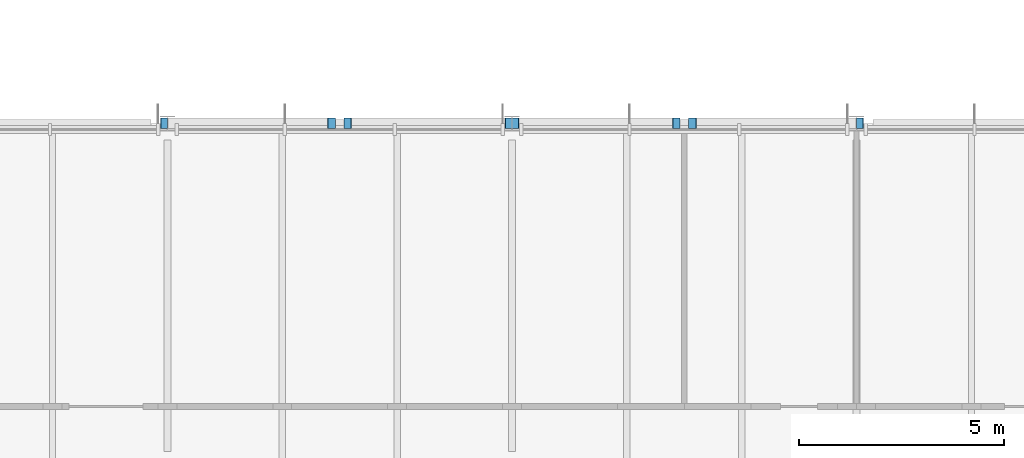
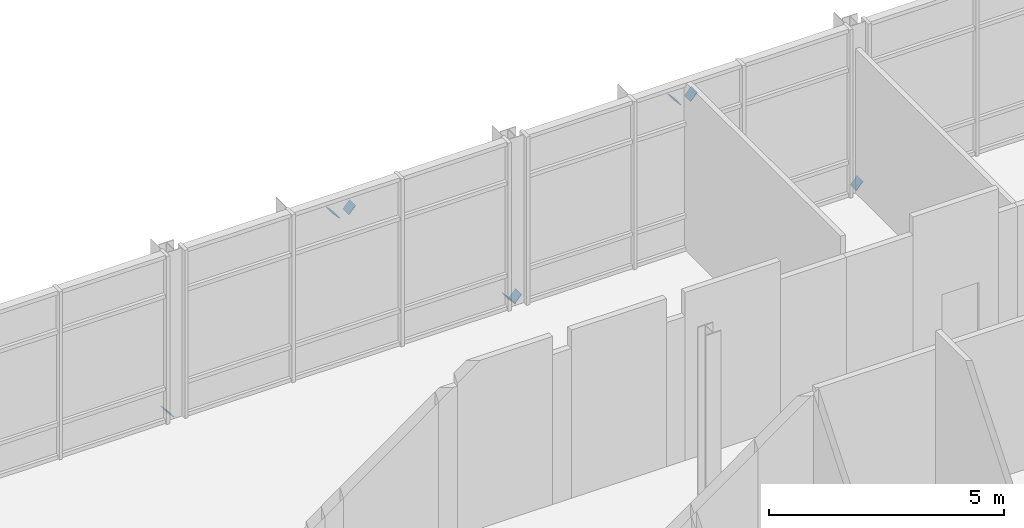
# One storey, part 73 of 89: 8 discrete accessories.
"""IFC4 building model written with IfcOpenShell, lengths in metres."""

from ifc_helpers import new_model, si_unit, direction, frame, origin, origin_2d, place, context, subcontext, project, spatial, rectangle, extrude, material, element, save


model = new_model("IFC4")

# Units and contexts
model_context = context("Model", 3, precision=1e-05, world=origin(), true_north=direction((0.0, 1.0)))
body_context = subcontext(model_context, "Body", "Model", "MODEL_VIEW")
ifc_project = project(units=[si_unit("LENGTHUNIT", "METRE"), si_unit("AREAUNIT", "SQUARE_METRE"), si_unit("VOLUMEUNIT", "CUBIC_METRE"), si_unit("PLANEANGLEUNIT", "RADIAN"), si_unit("MASSUNIT", "GRAM", prefix="KILO")], contexts=[model_context])

# Site, building, storey
site_placement = place(None, origin())
site = spatial("IfcSite", under=ifc_project, at=site_placement, CompositionType="ELEMENT")
building_placement = place(site_placement, origin())
building = spatial("IfcBuilding", under=site, at=building_placement, Name="Hlaing Beacon Police Headquarters", CompositionType="ELEMENT")
storey_placement = place(building_placement, frame((0.0, 0.0, 9.89990234375)))
storey = spatial("IfcBuildingStorey", under=building, at=storey_placement, Name="L02", CompositionType="ELEMENT", Elevation=9.89990234375)

# Discrete accessories
ifc_material = material(Name="Steel ASTM A572 Grade 50", Category="steel")
for number, where, z_axis, x_axis, name in (
    (1, (109.130859375, 92.39990234375, 0.099365234375), (-0.736364351183, 0.0, -0.676585206982), (0.0, -1.0, 0.0), "Gusset plate GP-209"),
    (2, (113.194091796875, 92.39990234375, 3.832763671875), (0.736364351183, 0.0, 0.676585206982), (0.0, 1.0, 0.0), "Gusset plate GP-210"),
    (3, (117.669189453125, 92.39990234375, 0.099365234375), (0.736364351183, 0.0, -0.676585206982), (0.0, 1.0, 0.0), "Gusset plate GP-211"),
    (4, (113.60595703125, 92.39990234375, 3.832763671875), (-0.736364351183, 0.0, 0.676585206982), (0.0, -1.0, 0.0), "Gusset plate GP-212"),
    (5, (117.53076171875, 92.39990234375, 0.099365234375), (-0.736384545735, 0.0, -0.676563227498), (0.0, -1.0, 0.0), "Gusset plate GP-213"),
    (6, (121.59423828125, 92.39990234375, 3.832763671875), (0.736384545735, 0.0, 0.676563227498), (0.0, 1.0, 0.0), "Gusset plate GP-214"),
    (7, (126.069091796875, 92.39990234375, 0.099365234375), (0.736364351183, 0.0, -0.676585206982), (0.0, 1.0, 0.0), "Gusset plate GP-215"),
    (8, (122.005859375, 92.39990234375, 3.832763671875), (-0.736364351183, 0.0, 0.676585206982), (0.0, -1.0, 0.0), "Gusset plate GP-216"),
):
    element("IfcDiscreteAccessory", number, at=place(storey_placement, frame(where, z_axis=z_axis, x_axis=x_axis)), inside=storey, material=ifc_material, Name=name, PredefinedType="BRACKET", context=body_context, shape_type="SweptSolid", body=[
        extrude(rectangle(XDim=0.25390625, YDim=0.25390625, at=origin_2d()), origin(), (0.0, 0.0, 1.0), 0.01611328125),
    ])

save(model, "model.ifc")
